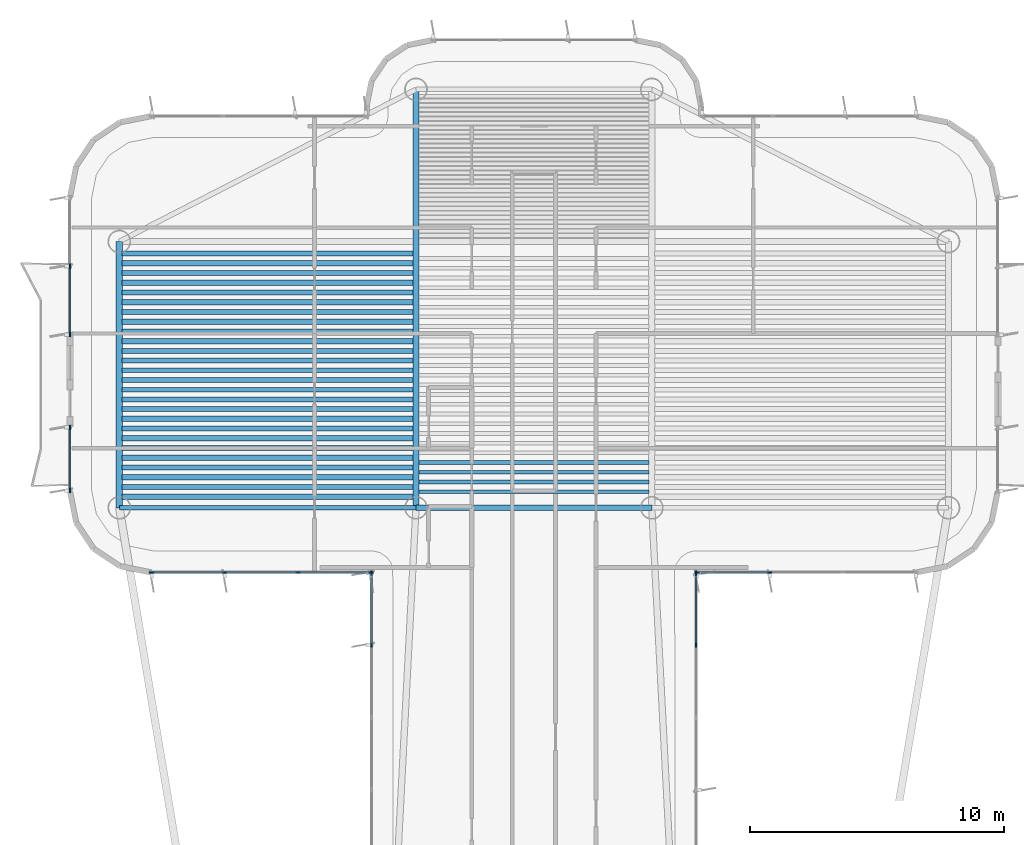
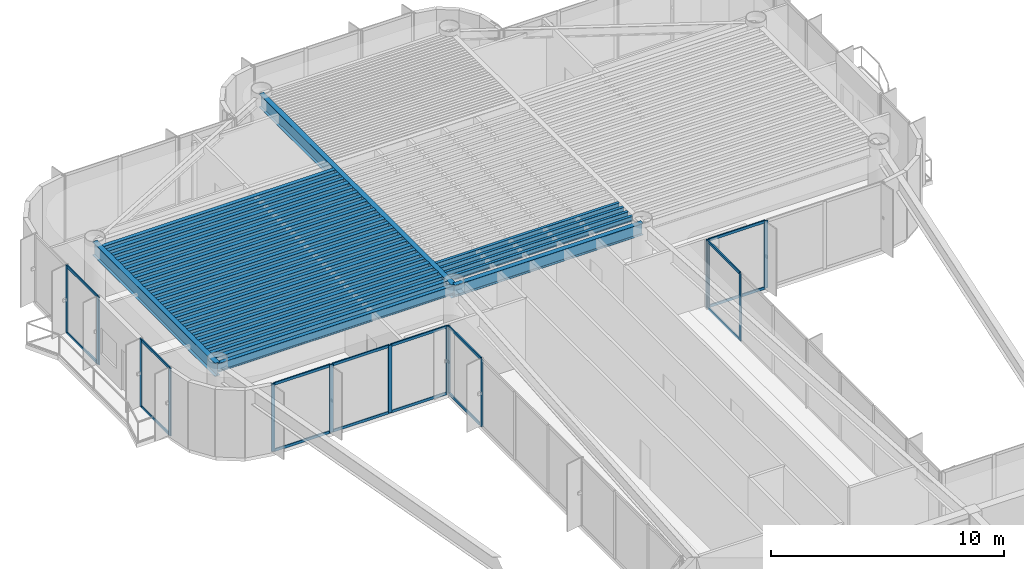
# One storey, part 5 of 15: 34 beams, 30 members, 6 elements without a shape of their own.
"""IFC4 building model written with IfcOpenShell, lengths in metres."""

from ifc_helpers import new_model, si_unit, direction, frame, origin, origin_2d, place, context, subcontext, project, spatial, rectangle, i_section, extrude, source, transform, mapped, material, layer, layer_set, material_profile, profile_set, type_object, element, aggregate, save


model = new_model("IFC4")

# Units and contexts
model_context = context("Model", 3, precision=1e-05, world=origin(), true_north=direction((0.0, 1.0)))
body_context = subcontext(model_context, "Body", "Model", "MODEL_VIEW")
ifc_project = project(units=[si_unit("LENGTHUNIT", "METRE"), si_unit("AREAUNIT", "SQUARE_METRE"), si_unit("VOLUMEUNIT", "CUBIC_METRE"), si_unit("PLANEANGLEUNIT", "RADIAN"), si_unit("MASSUNIT", "GRAM", prefix="KILO")], contexts=[model_context])

# Site, building, storey
site_placement = place(None, origin())
site = spatial("IfcSite", under=ifc_project, at=site_placement, CompositionType="ELEMENT")
building_placement = place(site_placement, origin())
building = spatial("IfcBuilding", under=site, at=building_placement, Name="Brelvock Crest Care Tower", CompositionType="ELEMENT")
storey_placement = place(building_placement, frame((0.0, 0.0, 268.3798828125)))
storey = spatial("IfcBuildingStorey", under=building, at=storey_placement, Name="L68", CompositionType="ELEMENT", Elevation=268.3798828125)

# Beams
ifc_material_1 = material(Name="Steel Grade 350", Category="steel")
ifc_material_profile_1 = material_profile(ifc_material_1, i_section(OverallWidth=0.25, OverallDepth=0.699951171875, WebThickness=0.011962890625, FlangeThickness=0.02001953125, at=origin_2d()), Name="700WB150")
ifc_profile_set_1 = profile_set([ifc_material_profile_1], Name="Steel Grade 350")
beam_type_1 = type_object("IfcBeamType", Name="BM-G4", PredefinedType="BEAM", material=ifc_profile_set_1)
shared_shape_1 = source(origin(), body_context, "Body", "SweptSolid", [
    extrude(i_section(OverallWidth=0.25, OverallDepth=0.699951171875, WebThickness=0.011962890625, FlangeThickness=0.02001953125, at=origin_2d()), origin(), (0.0, 0.0, 1.0), 10.5),
])
beam_1_placement = place(storey_placement, frame((19.64990234375, 43.949951171875, 3.18017578125), z_axis=(0.0, 1.0, 0.0), x_axis=(-1.0, 0.0, 0.0)))
element("IfcBeam", 1, at=beam_1_placement, inside=storey, type_object=beam_type_1, Name="BM-TWR-L68-01", PredefinedType="BEAM", context=body_context, shape_type="MappedRepresentation", body=[
    mapped(shared_shape_1, transform((0.0, 0.0, 0.0), x_axis=(1.0, 0.0, 0.0), y_axis=(0.0, 1.0, 0.0), z_axis=(0.0, 0.0, 1.0), scale=1.0)),
])
ifc_material_profile_2 = material_profile(ifc_material_1, i_section(OverallWidth=0.22900390625, OverallDepth=0.612060546875, WebThickness=0.011962890625, FlangeThickness=0.01953125, FilletRadius=0.013916015625, at=origin_2d()), Name="610UB125")
ifc_profile_set_2 = profile_set([ifc_material_profile_2], Name="Steel Grade 350")
beam_type_2 = type_object("IfcBeamType", Name="BM-G1", PredefinedType="BEAM", material=ifc_profile_set_2)
shared_shape_2 = source(origin(), body_context, "Body", "SweptSolid", [
    extrude(i_section(OverallWidth=0.22900390625, OverallDepth=0.612060546875, WebThickness=0.011962890625, FlangeThickness=0.01953125, FilletRadius=0.013916015625, at=origin_2d()), origin(), (0.0, 0.0, 1.0), 9.2998046875),
])
beam_2_placement = place(storey_placement, frame((31.35009765625, 43.949951171875, 3.22412109375), z_axis=(1.0, 0.0, 0.0), x_axis=(0.0, 1.0, 0.0)))
element("IfcBeam", 2, at=beam_2_placement, inside=storey, type_object=beam_type_2, Name="BM-TWR-L68-05", PredefinedType="BEAM", context=body_context, shape_type="MappedRepresentation", body=[
    mapped(shared_shape_2, transform((0.0, 0.0, 0.0), x_axis=(1.0, 0.0, 0.0), y_axis=(0.0, 1.0, 0.0), z_axis=(0.0, 0.0, 1.0), scale=1.0)),
])
ifc_material_profile_3 = material_profile(ifc_material_1, i_section(OverallWidth=0.14599609375, OverallDepth=0.256103515625, WebThickness=0.00634765625, FlangeThickness=0.010986328125, FilletRadius=0.0087890625, at=origin_2d()), Name="250UB37.3")
ifc_profile_set_3 = profile_set([ifc_material_profile_3], Name="Steel Grade 350")
beam_type_3 = type_object("IfcBeamType", Name="BM-J3", PredefinedType="JOIST", material=ifc_profile_set_3)
shared_shape_3 = source(origin(), body_context, "Body", "SweptSolid", [
    extrude(i_section(OverallWidth=0.14599609375, OverallDepth=0.256103515625, WebThickness=0.00634765625, FlangeThickness=0.010986328125, FilletRadius=0.0087890625, at=origin_2d()), origin(), (0.0, 0.0, 1.0), 9.06982421875),
])
for number, where, z_axis, x_axis, name in (
    (3, (31.465087890625, 44.58251953125, 3.402099609375), (1.0, 0.0, 0.0), (0.0, 1.0, 0.0), "BM-JH-L68-1"),
    (4, (31.465087890625, 44.9658203125, 3.402099609375), (1.0, 0.0, 0.0), (0.0, 1.0, 0.0), "BM-JH-L68-2"),
    (5, (31.465087890625, 45.34912109375, 3.402099609375), (1.0, 0.0, 0.0), (0.0, 1.0, 0.0), "BM-JH-L68-3"),
    (6, (31.465087890625, 45.732421875, 3.402099609375), (1.0, 0.0, 0.0), (0.0, 1.0, 0.0), "BM-JH-L68-4"),
):
    element("IfcBeam", number, at=place(storey_placement, frame(where, z_axis=z_axis, x_axis=x_axis)), inside=storey, type_object=beam_type_3, Name=name, PredefinedType="JOIST", context=body_context, shape_type="MappedRepresentation", body=[
        mapped(shared_shape_3, transform((0.0, 0.0, 0.0), x_axis=(1.0, 0.0, 0.0), y_axis=(0.0, 1.0, 0.0), z_axis=(0.0, 0.0, 1.0), scale=1.0)),
    ])
ifc_material_profile_4 = material_profile(ifc_material_1, i_section(OverallWidth=0.19091796875, OverallDepth=0.4599609375, WebThickness=0.010009765625, FlangeThickness=0.01611328125, FilletRadius=0.011474609375, at=origin_2d()), Name="460UB82.1")
ifc_profile_set_4 = profile_set([ifc_material_profile_4], Name="Steel Grade 350")
beam_type_4 = type_object("IfcBeamType", Name="BM-G3", PredefinedType="BEAM", material=ifc_profile_set_4)
shared_shape_4 = source(origin(), body_context, "Body", "SweptSolid", [
    extrude(i_section(OverallWidth=0.19091796875, OverallDepth=0.4599609375, WebThickness=0.010009765625, FlangeThickness=0.01611328125, FilletRadius=0.011474609375, at=origin_2d()), origin(), (0.0, 0.0, 1.0), 11.47021484375),
])
for number, where, z_axis, x_axis, name in (
    (7, (19.764892578125, 44.7744140625, 3.300048828125), (1.0, 0.0, 0.0), (0.0, 1.0, 0.0), "BM-JW-L68-2"),
    (8, (19.764892578125, 45.540771484375, 3.300048828125), (1.0, 0.0, 0.0), (0.0, 1.0, 0.0), "BM-JW-L68-4"),
    (9, (19.764892578125, 46.307373046875, 3.300048828125), (1.0, 0.0, 0.0), (0.0, 1.0, 0.0), "BM-JW-L68-6"),
    (10, (19.764892578125, 47.07373046875, 3.300048828125), (1.0, 0.0, 0.0), (0.0, 1.0, 0.0), "BM-JW-L68-8"),
    (11, (19.764892578125, 47.84033203125, 3.300048828125), (1.0, 0.0, 0.0), (0.0, 1.0, 0.0), "BM-JW-L68-10"),
    (12, (19.764892578125, 48.606689453125, 3.300048828125), (1.0, 0.0, 0.0), (0.0, 1.0, 0.0), "BM-JW-L68-12"),
    (13, (19.764892578125, 49.373291015625, 3.300048828125), (1.0, 0.0, 0.0), (0.0, 1.0, 0.0), "BM-JW-L68-14"),
    (14, (19.764892578125, 50.139892578125, 3.300048828125), (1.0, 0.0, 0.0), (0.0, 1.0, 0.0), "BM-JW-L68-16"),
    (15, (19.764892578125, 50.90625, 3.300048828125), (1.0, 0.0, 0.0), (0.0, 1.0, 0.0), "BM-JW-L68-18"),
    (16, (19.764892578125, 51.6728515625, 3.300048828125), (1.0, 0.0, 0.0), (0.0, 1.0, 0.0), "BM-JW-L68-20"),
    (17, (19.764892578125, 52.439208984375, 3.300048828125), (1.0, 0.0, 0.0), (0.0, 1.0, 0.0), "BM-JW-L68-22"),
    (18, (19.764892578125, 53.205810546875, 3.300048828125), (1.0, 0.0, 0.0), (0.0, 1.0, 0.0), "BM-JW-L68-24"),
    (19, (19.764892578125, 53.972412109375, 3.300048828125), (1.0, 0.0, 0.0), (0.0, 1.0, 0.0), "BM-JW-L68-26"),
):
    element("IfcBeam", number, at=place(storey_placement, frame(where, z_axis=z_axis, x_axis=x_axis)), inside=storey, type_object=beam_type_4, Name=name, PredefinedType="BEAM", context=body_context, shape_type="MappedRepresentation", body=[
        mapped(shared_shape_4, transform((0.0, 0.0, 0.0), x_axis=(1.0, 0.0, 0.0), y_axis=(0.0, 1.0, 0.0), z_axis=(0.0, 0.0, 1.0), scale=1.0)),
    ])
ifc_material_profile_5 = material_profile(ifc_material_1, i_section(OverallWidth=0.208984375, OverallDepth=0.532958984375, WebThickness=0.01025390625, FlangeThickness=0.015625, FilletRadius=0.013916015625, at=origin_2d()), Name="530UB92.4")
ifc_profile_set_5 = profile_set([ifc_material_profile_5], Name="Steel Grade 350")
beam_type_5 = type_object("IfcBeamType", Name="BM-G2", PredefinedType="BEAM", material=ifc_profile_set_5)
shared_shape_5 = source(origin(), body_context, "Body", "SweptSolid", [
    extrude(i_section(OverallWidth=0.208984375, OverallDepth=0.532958984375, WebThickness=0.01025390625, FlangeThickness=0.015625, FilletRadius=0.013916015625, at=origin_2d()), origin(), (0.0, 0.0, 1.0), 11.47021484375),
])
for number, where, z_axis, x_axis, name in (
    (20, (19.764892578125, 44.39111328125, 3.263671875), (1.0, 0.0, 0.0), (0.0, 1.0, 0.0), "BM-JW-L68-1"),
    (21, (19.764892578125, 45.157470703125, 3.263671875), (1.0, 0.0, 0.0), (0.0, 1.0, 0.0), "BM-JW-L68-3"),
    (22, (19.764892578125, 45.924072265625, 3.263671875), (1.0, 0.0, 0.0), (0.0, 1.0, 0.0), "BM-JW-L68-5"),
    (23, (19.764892578125, 46.6904296875, 3.263671875), (1.0, 0.0, 0.0), (0.0, 1.0, 0.0), "BM-JW-L68-7"),
    (24, (19.764892578125, 47.45703125, 3.263671875), (1.0, 0.0, 0.0), (0.0, 1.0, 0.0), "BM-JW-L68-9"),
    (25, (19.764892578125, 48.223388671875, 3.263671875), (1.0, 0.0, 0.0), (0.0, 1.0, 0.0), "BM-JW-L68-11"),
    (26, (19.764892578125, 48.989990234375, 3.263671875), (1.0, 0.0, 0.0), (0.0, 1.0, 0.0), "BM-JW-L68-13"),
    (27, (19.764892578125, 49.756591796875, 3.263671875), (1.0, 0.0, 0.0), (0.0, 1.0, 0.0), "BM-JW-L68-15"),
    (28, (19.764892578125, 50.52294921875, 3.263671875), (1.0, 0.0, 0.0), (0.0, 1.0, 0.0), "BM-JW-L68-17"),
    (29, (19.764892578125, 51.28955078125, 3.263671875), (1.0, 0.0, 0.0), (0.0, 1.0, 0.0), "BM-JW-L68-19"),
    (30, (19.764892578125, 52.055908203125, 3.263671875), (1.0, 0.0, 0.0), (0.0, 1.0, 0.0), "BM-JW-L68-21"),
    (31, (19.764892578125, 52.822509765625, 3.263671875), (1.0, 0.0, 0.0), (0.0, 1.0, 0.0), "BM-JW-L68-23"),
    (32, (19.764892578125, 53.589111328125, 3.263671875), (1.0, 0.0, 0.0), (0.0, 1.0, 0.0), "BM-JW-L68-25"),
):
    element("IfcBeam", number, at=place(storey_placement, frame(where, z_axis=z_axis, x_axis=x_axis)), inside=storey, type_object=beam_type_5, Name=name, PredefinedType="BEAM", context=body_context, shape_type="MappedRepresentation", body=[
        mapped(shared_shape_5, transform((0.0, 0.0, 0.0), x_axis=(1.0, 0.0, 0.0), y_axis=(0.0, 1.0, 0.0), z_axis=(0.0, 0.0, 1.0), scale=1.0)),
    ])
ifc_material_profile_6 = material_profile(ifc_material_1, i_section(OverallWidth=0.19091796875, OverallDepth=0.4599609375, WebThickness=0.010009765625, FlangeThickness=0.01611328125, FilletRadius=0.011474609375, at=origin_2d()), Name="460UB82.1")
ifc_profile_set_6 = profile_set([ifc_material_profile_6], Name="Steel Grade 350")
beam_type_6 = type_object("IfcBeamType", Name="BM-SP2", PredefinedType="SPANDREL", material=ifc_profile_set_6)
shared_shape_6 = source(origin(), body_context, "Body", "SweptSolid", [
    extrude(i_section(OverallWidth=0.19091796875, OverallDepth=0.4599609375, WebThickness=0.010009765625, FlangeThickness=0.01611328125, FilletRadius=0.011474609375, at=origin_2d()), origin(), (0.0, 0.0, 1.0), 11.7001953125),
])
beam_3_placement = place(storey_placement, frame((19.64990234375, 43.949951171875, 3.300048828125), z_axis=(1.0, 0.0, 0.0), x_axis=(0.0, 1.0, 0.0)))
element("IfcBeam", 33, at=beam_3_placement, inside=storey, type_object=beam_type_6, Name="BM-TWR-L68-03", PredefinedType="SPANDREL", context=body_context, shape_type="MappedRepresentation", body=[
    mapped(shared_shape_6, transform((0.0, 0.0, 0.0), x_axis=(1.0, 0.0, 0.0), y_axis=(0.0, 1.0, 0.0), z_axis=(0.0, 0.0, 1.0), scale=1.0)),
])
shared_shape_7 = source(origin(), body_context, "Body", "SweptSolid", [
    extrude(i_section(OverallWidth=0.25, OverallDepth=0.699951171875, WebThickness=0.011962890625, FlangeThickness=0.02001953125, at=origin_2d()), origin(), (0.0, 0.0, 1.0), 16.5),
])
beam_4_placement = place(storey_placement, frame((31.35009765625, 43.949951171875, 3.18017578125), z_axis=(0.0, 1.0, 0.0), x_axis=(-1.0, 0.0, 0.0)))
element("IfcBeam", 34, at=beam_4_placement, inside=storey, type_object=beam_type_1, Name="BM-TWR-L68-09", PredefinedType="BEAM", context=body_context, shape_type="MappedRepresentation", body=[
    mapped(shared_shape_7, transform((0.0, 0.0, 0.0), x_axis=(1.0, 0.0, 0.0), y_axis=(0.0, 1.0, 0.0), z_axis=(0.0, 0.0, 1.0), scale=1.0)),
])

# Curtain wall, members
ifc_material_2 = material(Name="Dark Glass Double Glazed Low-E", Category="glass")
ifc_layer = layer(ifc_material_2, 0.239990234375, Name="CWS-5")
ifc_layer_set = layer_set([ifc_layer], Name="Dark Glass Double Glazed Low-E")
curtain_wall_type = type_object("IfcCurtainWallType", Name="CWS-5", PredefinedType="NOTDEFINED", material=ifc_layer_set)
curtain_wall_1_placement = place(storey_placement, origin())
curtain_wall_1 = element("IfcCurtainWall", 35, at=curtain_wall_1_placement, inside=storey, type_object=curtain_wall_type, Name="L68 Curtain Wall E11", PredefinedType="NOTDEFINED")
ifc_material_3 = material(Name="Aluminium 6063-T6", Category="aluminium")
ifc_material_profile_7 = material_profile(ifc_material_3, rectangle(XDim=0.06005859375, YDim=0.179931640625, at=origin_2d()), Name="ALU60x180")
ifc_profile_set_7 = profile_set([ifc_material_profile_7], Name="Aluminium 6063-T6")
member_type_1 = type_object("IfcMemberType", Name="CWM-2", PredefinedType="MULLION", material=ifc_profile_set_7)
shared_shape_8 = source(origin(), body_context, "Body", "SweptSolid", [
    extrude(rectangle(XDim=0.06005859375, YDim=0.179931640625, at=origin_2d()), origin(), (0.0, 0.0, 1.0), 3.530029296875),
])
member_1_placement = place(storey_placement, frame((29.60009765625, 38.54296875, 0.0), z_axis=(0.0, 0.0, 1.0), x_axis=(-1.0, 0.0, 0.0)))
member_1 = element("IfcMember", 36, at=member_1_placement, type_object=member_type_1, Name="CW-5 mullion 7", PredefinedType="MULLION", context=body_context, shape_type="MappedRepresentation", body=[
    mapped(shared_shape_8, transform((0.0, 0.0, 0.0), x_axis=(1.0, 0.0, 0.0), y_axis=(0.0, 1.0, 0.0), z_axis=(0.0, 0.0, 1.0), scale=1.0)),
])
member_2_placement = place(storey_placement, frame((29.60009765625, 41.3701171875, 0.0), z_axis=(0.0, 0.0, 1.0), x_axis=(-1.0, 0.0, 0.0)))
member_2 = element("IfcMember", 37, at=member_2_placement, type_object=member_type_1, Name="CW-5 mullion 8", PredefinedType="MULLION", context=body_context, shape_type="MappedRepresentation", body=[
    mapped(shared_shape_8, transform((0.0, 0.0, 0.0), x_axis=(1.0, 0.0, 0.0), y_axis=(0.0, 1.0, 0.0), z_axis=(0.0, 0.0, 1.0), scale=1.0)),
])

curtain_wall_2_placement = place(storey_placement, origin())
curtain_wall_2 = element("IfcCurtainWall", 38, at=curtain_wall_2_placement, inside=storey, type_object=curtain_wall_type, Name="L68 Curtain Wall E12", PredefinedType="NOTDEFINED")
member_3_placement = place(storey_placement, frame((29.570068359375, 41.39990234375, 0.0), z_axis=(0.0, 0.0, 1.0), x_axis=(0.0, -1.0, 0.0)))
member_3 = element("IfcMember", 39, at=member_3_placement, type_object=member_type_1, Name="CW-5 mullion 1", PredefinedType="MULLION", context=body_context, shape_type="MappedRepresentation", body=[
    mapped(shared_shape_8, transform((0.0, 0.0, 0.0), x_axis=(1.0, 0.0, 0.0), y_axis=(0.0, 1.0, 0.0), z_axis=(0.0, 0.0, 1.0), scale=1.0)),
])
member_4_placement = place(storey_placement, frame((26.699951171875, 41.39990234375, 0.0), z_axis=(0.0, 0.0, 1.0), x_axis=(0.0, -1.0, 0.0)))
member_4 = element("IfcMember", 40, at=member_4_placement, type_object=member_type_1, Name="CW-5 mullion 2", PredefinedType="MULLION", context=body_context, shape_type="MappedRepresentation", body=[
    mapped(shared_shape_8, transform((0.0, 0.0, 0.0), x_axis=(1.0, 0.0, 0.0), y_axis=(0.0, 1.0, 0.0), z_axis=(0.0, 0.0, 1.0), scale=1.0)),
])
member_5_placement = place(storey_placement, frame((23.800048828125, 41.39990234375, 0.0), z_axis=(0.0, 0.0, 1.0), x_axis=(0.0, -1.0, 0.0)))
member_5 = element("IfcMember", 41, at=member_5_placement, type_object=member_type_1, Name="CW-5 mullion 3", PredefinedType="MULLION", context=body_context, shape_type="MappedRepresentation", body=[
    mapped(shared_shape_8, transform((0.0, 0.0, 0.0), x_axis=(1.0, 0.0, 0.0), y_axis=(0.0, 1.0, 0.0), z_axis=(0.0, 0.0, 1.0), scale=1.0)),
])
member_6_placement = place(storey_placement, frame((20.929931640625, 41.39990234375, 0.0), z_axis=(0.0, 0.0, 1.0), x_axis=(0.0, -1.0, 0.0)))
member_6 = element("IfcMember", 42, at=member_6_placement, type_object=member_type_1, Name="CW-5 mullion 4", PredefinedType="MULLION", context=body_context, shape_type="MappedRepresentation", body=[
    mapped(shared_shape_8, transform((0.0, 0.0, 0.0), x_axis=(1.0, 0.0, 0.0), y_axis=(0.0, 1.0, 0.0), z_axis=(0.0, 0.0, 1.0), scale=1.0)),
])

curtain_wall_3_placement = place(storey_placement, origin())
curtain_wall_3 = element("IfcCurtainWall", 43, at=curtain_wall_3_placement, inside=storey, type_object=curtain_wall_type, Name="L68 Curtain Wall E17A", PredefinedType="NOTDEFINED")
member_7_placement = place(storey_placement, frame((17.699951171875, 44.6298828125, 0.0), z_axis=(0.0, 0.0, 1.0), x_axis=(-1.0, 0.0, 0.0)))
member_7 = element("IfcMember", 44, at=member_7_placement, type_object=member_type_1, Name="CW-5 mullion 1", PredefinedType="MULLION", context=body_context, shape_type="MappedRepresentation", body=[
    mapped(shared_shape_8, transform((0.0, 0.0, 0.0), x_axis=(1.0, 0.0, 0.0), y_axis=(0.0, 1.0, 0.0), z_axis=(0.0, 0.0, 1.0), scale=1.0)),
])
member_8_placement = place(storey_placement, frame((17.699951171875, 47.1201171875, 0.0), z_axis=(0.0, 0.0, 1.0), x_axis=(-1.0, 0.0, 0.0)))
member_8 = element("IfcMember", 45, at=member_8_placement, type_object=member_type_1, Name="CW-5 mullion 2", PredefinedType="MULLION", context=body_context, shape_type="MappedRepresentation", body=[
    mapped(shared_shape_8, transform((0.0, 0.0, 0.0), x_axis=(1.0, 0.0, 0.0), y_axis=(0.0, 1.0, 0.0), z_axis=(0.0, 0.0, 1.0), scale=1.0)),
])

curtain_wall_4_placement = place(storey_placement, origin())
curtain_wall_4 = element("IfcCurtainWall", 46, at=curtain_wall_4_placement, inside=storey, type_object=curtain_wall_type, Name="L68 Curtain Wall E17B", PredefinedType="NOTDEFINED")
member_9_placement = place(storey_placement, frame((17.699951171875, 50.780029296875, 0.0), z_axis=(0.0, 0.0, 1.0), x_axis=(-1.0, 0.0, 0.0)))
member_9 = element("IfcMember", 47, at=member_9_placement, type_object=member_type_1, Name="CW-5 mullion 1", PredefinedType="MULLION", context=body_context, shape_type="MappedRepresentation", body=[
    mapped(shared_shape_8, transform((0.0, 0.0, 0.0), x_axis=(1.0, 0.0, 0.0), y_axis=(0.0, 1.0, 0.0), z_axis=(0.0, 0.0, 1.0), scale=1.0)),
])
member_10_placement = place(storey_placement, frame((17.699951171875, 53.47509765625, 0.0), z_axis=(0.0, 0.0, 1.0), x_axis=(-1.0, 0.0, 0.0)))
member_10 = element("IfcMember", 48, at=member_10_placement, type_object=member_type_1, Name="CW-5 mullion 2", PredefinedType="MULLION", context=body_context, shape_type="MappedRepresentation", body=[
    mapped(shared_shape_8, transform((0.0, 0.0, 0.0), x_axis=(1.0, 0.0, 0.0), y_axis=(0.0, 1.0, 0.0), z_axis=(0.0, 0.0, 1.0), scale=1.0)),
])

curtain_wall_5_placement = place(storey_placement, origin())
curtain_wall_5 = element("IfcCurtainWall", 49, at=curtain_wall_5_placement, inside=storey, type_object=curtain_wall_type, Name="L68 Curtain Wall E44", PredefinedType="NOTDEFINED")
member_11_placement = place(storey_placement, frame((45.300048828125, 41.39990234375, 0.0), z_axis=(0.0, 0.0, 1.0), x_axis=(0.0, -1.0, 0.0)))
member_11 = element("IfcMember", 50, at=member_11_placement, type_object=member_type_1, Name="CW-5 mullion 3", PredefinedType="MULLION", context=body_context, shape_type="MappedRepresentation", body=[
    mapped(shared_shape_8, transform((0.0, 0.0, 0.0), x_axis=(1.0, 0.0, 0.0), y_axis=(0.0, 1.0, 0.0), z_axis=(0.0, 0.0, 1.0), scale=1.0)),
])
member_12_placement = place(storey_placement, frame((42.429931640625, 41.39990234375, 0.0), z_axis=(0.0, 0.0, 1.0), x_axis=(0.0, -1.0, 0.0)))
member_12 = element("IfcMember", 51, at=member_12_placement, type_object=member_type_1, Name="CW-5 mullion 4", PredefinedType="MULLION", context=body_context, shape_type="MappedRepresentation", body=[
    mapped(shared_shape_8, transform((0.0, 0.0, 0.0), x_axis=(1.0, 0.0, 0.0), y_axis=(0.0, 1.0, 0.0), z_axis=(0.0, 0.0, 1.0), scale=1.0)),
])

curtain_wall_6_placement = place(storey_placement, origin())
curtain_wall_6 = element("IfcCurtainWall", 52, at=curtain_wall_6_placement, inside=storey, type_object=curtain_wall_type, Name="L68 Curtain Wall E45", PredefinedType="NOTDEFINED")
member_13_placement = place(storey_placement, frame((42.39990234375, 41.3701171875, 0.0), z_axis=(0.0, 0.0, 1.0), x_axis=(1.0, 0.0, 0.0)))
member_13 = element("IfcMember", 53, at=member_13_placement, type_object=member_type_1, Name="CW-5 mullion 1", PredefinedType="MULLION", context=body_context, shape_type="MappedRepresentation", body=[
    mapped(shared_shape_8, transform((0.0, 0.0, 0.0), x_axis=(1.0, 0.0, 0.0), y_axis=(0.0, 1.0, 0.0), z_axis=(0.0, 0.0, 1.0), scale=1.0)),
])
member_14_placement = place(storey_placement, frame((42.39990234375, 38.54296875, 0.0), z_axis=(0.0, 0.0, 1.0), x_axis=(1.0, 0.0, 0.0)))
member_14 = element("IfcMember", 54, at=member_14_placement, type_object=member_type_1, Name="CW-5 mullion 2", PredefinedType="MULLION", context=body_context, shape_type="MappedRepresentation", body=[
    mapped(shared_shape_8, transform((0.0, 0.0, 0.0), x_axis=(1.0, 0.0, 0.0), y_axis=(0.0, 1.0, 0.0), z_axis=(0.0, 0.0, 1.0), scale=1.0)),
])

# Member
ifc_material_profile_8 = material_profile(ifc_material_3, rectangle(XDim=0.06005859375, YDim=0.139892578125, at=origin_2d()), Name="ALU60x140")
ifc_profile_set_8 = profile_set([ifc_material_profile_8], Name="Aluminium 6063-T6")
member_type_2 = type_object("IfcMemberType", Name="CWT-2", PredefinedType="USERDEFINED", material=ifc_profile_set_8)
shared_shape_9 = source(origin(), body_context, "Body", "SweptSolid", [
    extrude(rectangle(XDim=0.06005859375, YDim=0.139892578125, at=origin_2d()), origin(), (0.0, 0.0, 1.0), 2.767333984375),
])
member_15_placement = place(storey_placement, frame((29.60009765625, 38.57275390625, 0.030029296875), z_axis=(0.0, 1.0, 0.0), x_axis=(-1.0, 0.0, 0.0)))
member_15 = element("IfcMember", 55, at=member_15_placement, type_object=member_type_2, Name="CW-5 transom 7.1", ObjectType="TRANSOM", PredefinedType="USERDEFINED", context=body_context, shape_type="MappedRepresentation", body=[
    mapped(shared_shape_9, transform((0.0, 0.0, 0.0), x_axis=(1.0, 0.0, 0.0), y_axis=(0.0, 1.0, 0.0), z_axis=(0.0, 0.0, 1.0), scale=1.0)),
])

member_16_placement = place(storey_placement, frame((29.60009765625, 38.57275390625, 3.5), z_axis=(0.0, 1.0, 0.0), x_axis=(-1.0, 0.0, 0.0)))
member_16 = element("IfcMember", 56, at=member_16_placement, type_object=member_type_2, Name="CW-5 transom 7.2", ObjectType="TRANSOM", PredefinedType="USERDEFINED", context=body_context, shape_type="MappedRepresentation", body=[
    mapped(shared_shape_9, transform((0.0, 0.0, 0.0), x_axis=(1.0, 0.0, 0.0), y_axis=(0.0, 1.0, 0.0), z_axis=(0.0, 0.0, 1.0), scale=1.0)),
])

aggregate(curtain_wall_1, [member_1, member_2, member_15, member_16])

member_17_placement = place(storey_placement, frame((42.39990234375, 41.340087890625, 0.030029296875), z_axis=(0.0, -1.0, 0.0), x_axis=(1.0, 0.0, 0.0)))
member_17 = element("IfcMember", 57, at=member_17_placement, type_object=member_type_2, Name="CW-5 transom 1.1", ObjectType="TRANSOM", PredefinedType="USERDEFINED", context=body_context, shape_type="MappedRepresentation", body=[
    mapped(shared_shape_9, transform((0.0, 0.0, 0.0), x_axis=(1.0, 0.0, 0.0), y_axis=(0.0, 1.0, 0.0), z_axis=(0.0, 0.0, 1.0), scale=1.0)),
])

member_18_placement = place(storey_placement, frame((42.39990234375, 41.340087890625, 3.5), z_axis=(0.0, -1.0, 0.0), x_axis=(1.0, 0.0, 0.0)))
member_18 = element("IfcMember", 58, at=member_18_placement, type_object=member_type_2, Name="CW-5 transom 1.2", ObjectType="TRANSOM", PredefinedType="USERDEFINED", context=body_context, shape_type="MappedRepresentation", body=[
    mapped(shared_shape_9, transform((0.0, 0.0, 0.0), x_axis=(1.0, 0.0, 0.0), y_axis=(0.0, 1.0, 0.0), z_axis=(0.0, 0.0, 1.0), scale=1.0)),
])

aggregate(curtain_wall_6, [member_13, member_14, member_17, member_18])

shared_shape_10 = source(origin(), body_context, "Body", "SweptSolid", [
    extrude(rectangle(XDim=0.06005859375, YDim=0.139892578125, at=origin_2d()), origin(), (0.0, 0.0, 1.0), 2.81005859375),
])
member_19_placement = place(storey_placement, frame((29.5400390625, 41.39990234375, 0.030029296875), z_axis=(-1.0, 0.0, 0.0), x_axis=(0.0, -1.0, 0.0)))
member_19 = element("IfcMember", 59, at=member_19_placement, type_object=member_type_2, Name="CW-5 transom 1.1", ObjectType="TRANSOM", PredefinedType="USERDEFINED", context=body_context, shape_type="MappedRepresentation", body=[
    mapped(shared_shape_10, transform((0.0, 0.0, 0.0), x_axis=(1.0, 0.0, 0.0), y_axis=(0.0, 1.0, 0.0), z_axis=(0.0, 0.0, 1.0), scale=1.0)),
])

member_20_placement = place(storey_placement, frame((29.5400390625, 41.39990234375, 3.5), z_axis=(-1.0, 0.0, 0.0), x_axis=(0.0, -1.0, 0.0)))
member_20 = element("IfcMember", 60, at=member_20_placement, type_object=member_type_2, Name="CW-5 transom 1.2", ObjectType="TRANSOM", PredefinedType="USERDEFINED", context=body_context, shape_type="MappedRepresentation", body=[
    mapped(shared_shape_10, transform((0.0, 0.0, 0.0), x_axis=(1.0, 0.0, 0.0), y_axis=(0.0, 1.0, 0.0), z_axis=(0.0, 0.0, 1.0), scale=1.0)),
])

member_21_placement = place(storey_placement, frame((23.77001953125, 41.39990234375, 0.030029296875), z_axis=(-1.0, 0.0, 0.0), x_axis=(0.0, -1.0, 0.0)))
member_21 = element("IfcMember", 61, at=member_21_placement, type_object=member_type_2, Name="CW-5 transom 3.1", ObjectType="TRANSOM", PredefinedType="USERDEFINED", context=body_context, shape_type="MappedRepresentation", body=[
    mapped(shared_shape_10, transform((0.0, 0.0, 0.0), x_axis=(1.0, 0.0, 0.0), y_axis=(0.0, 1.0, 0.0), z_axis=(0.0, 0.0, 1.0), scale=1.0)),
])

member_22_placement = place(storey_placement, frame((23.77001953125, 41.39990234375, 3.5), z_axis=(-1.0, 0.0, 0.0), x_axis=(0.0, -1.0, 0.0)))
member_22 = element("IfcMember", 62, at=member_22_placement, type_object=member_type_2, Name="CW-5 transom 3.2", ObjectType="TRANSOM", PredefinedType="USERDEFINED", context=body_context, shape_type="MappedRepresentation", body=[
    mapped(shared_shape_10, transform((0.0, 0.0, 0.0), x_axis=(1.0, 0.0, 0.0), y_axis=(0.0, 1.0, 0.0), z_axis=(0.0, 0.0, 1.0), scale=1.0)),
])

member_23_placement = place(storey_placement, frame((45.27001953125, 41.39990234375, 0.030029296875), z_axis=(-1.0, 0.0, 0.0), x_axis=(0.0, -1.0, 0.0)))
member_23 = element("IfcMember", 63, at=member_23_placement, type_object=member_type_2, Name="CW-5 transom 3.1", ObjectType="TRANSOM", PredefinedType="USERDEFINED", context=body_context, shape_type="MappedRepresentation", body=[
    mapped(shared_shape_10, transform((0.0, 0.0, 0.0), x_axis=(1.0, 0.0, 0.0), y_axis=(0.0, 1.0, 0.0), z_axis=(0.0, 0.0, 1.0), scale=1.0)),
])

member_24_placement = place(storey_placement, frame((45.27001953125, 41.39990234375, 3.5), z_axis=(-1.0, 0.0, 0.0), x_axis=(0.0, -1.0, 0.0)))
member_24 = element("IfcMember", 64, at=member_24_placement, type_object=member_type_2, Name="CW-5 transom 3.2", ObjectType="TRANSOM", PredefinedType="USERDEFINED", context=body_context, shape_type="MappedRepresentation", body=[
    mapped(shared_shape_10, transform((0.0, 0.0, 0.0), x_axis=(1.0, 0.0, 0.0), y_axis=(0.0, 1.0, 0.0), z_axis=(0.0, 0.0, 1.0), scale=1.0)),
])

aggregate(curtain_wall_5, [member_11, member_12, member_23, member_24])

shared_shape_11 = source(origin(), body_context, "Body", "SweptSolid", [
    extrude(rectangle(XDim=0.06005859375, YDim=0.139892578125, at=origin_2d()), origin(), (0.0, 0.0, 1.0), 2.83984375),
])
member_25_placement = place(storey_placement, frame((26.669921875, 41.39990234375, 0.030029296875), z_axis=(-1.0, 0.0, 0.0), x_axis=(0.0, -1.0, 0.0)))
member_25 = element("IfcMember", 65, at=member_25_placement, type_object=member_type_2, Name="CW-5 transom 2.1", ObjectType="TRANSOM", PredefinedType="USERDEFINED", context=body_context, shape_type="MappedRepresentation", body=[
    mapped(shared_shape_11, transform((0.0, 0.0, 0.0), x_axis=(1.0, 0.0, 0.0), y_axis=(0.0, 1.0, 0.0), z_axis=(0.0, 0.0, 1.0), scale=1.0)),
])

member_26_placement = place(storey_placement, frame((26.669921875, 41.39990234375, 3.5), z_axis=(-1.0, 0.0, 0.0), x_axis=(0.0, -1.0, 0.0)))
member_26 = element("IfcMember", 66, at=member_26_placement, type_object=member_type_2, Name="CW-5 transom 2.2", ObjectType="TRANSOM", PredefinedType="USERDEFINED", context=body_context, shape_type="MappedRepresentation", body=[
    mapped(shared_shape_11, transform((0.0, 0.0, 0.0), x_axis=(1.0, 0.0, 0.0), y_axis=(0.0, 1.0, 0.0), z_axis=(0.0, 0.0, 1.0), scale=1.0)),
])

aggregate(curtain_wall_2, [member_3, member_4, member_5, member_6, member_19, member_20, member_25, member_26, member_21, member_22])

shared_shape_12 = source(origin(), body_context, "Body", "SweptSolid", [
    extrude(rectangle(XDim=0.06005859375, YDim=0.139892578125, at=origin_2d()), origin(), (0.0, 0.0, 1.0), 2.43017578125),
])
member_27_placement = place(storey_placement, frame((17.699951171875, 44.659912109375, 0.030029296875), z_axis=(0.0, 1.0, 0.0), x_axis=(-1.0, 0.0, 0.0)))
member_27 = element("IfcMember", 67, at=member_27_placement, type_object=member_type_2, Name="CW-5 transom 1.1", ObjectType="TRANSOM", PredefinedType="USERDEFINED", context=body_context, shape_type="MappedRepresentation", body=[
    mapped(shared_shape_12, transform((0.0, 0.0, 0.0), x_axis=(1.0, 0.0, 0.0), y_axis=(0.0, 1.0, 0.0), z_axis=(0.0, 0.0, 1.0), scale=1.0)),
])

member_28_placement = place(storey_placement, frame((17.699951171875, 44.659912109375, 3.5), z_axis=(0.0, 1.0, 0.0), x_axis=(-1.0, 0.0, 0.0)))
member_28 = element("IfcMember", 68, at=member_28_placement, type_object=member_type_2, Name="CW-5 transom 1.2", ObjectType="TRANSOM", PredefinedType="USERDEFINED", context=body_context, shape_type="MappedRepresentation", body=[
    mapped(shared_shape_12, transform((0.0, 0.0, 0.0), x_axis=(1.0, 0.0, 0.0), y_axis=(0.0, 1.0, 0.0), z_axis=(0.0, 0.0, 1.0), scale=1.0)),
])

aggregate(curtain_wall_3, [member_7, member_8, member_27, member_28])

shared_shape_13 = source(origin(), body_context, "Body", "SweptSolid", [
    extrude(rectangle(XDim=0.06005859375, YDim=0.139892578125, at=origin_2d()), origin(), (0.0, 0.0, 1.0), 2.635009765625),
])
member_29_placement = place(storey_placement, frame((17.699951171875, 50.81005859375, 0.030029296875), z_axis=(0.0, 1.0, 0.0), x_axis=(-1.0, 0.0, 0.0)))
member_29 = element("IfcMember", 69, at=member_29_placement, type_object=member_type_2, Name="CW-5 transom 1.1", ObjectType="TRANSOM", PredefinedType="USERDEFINED", context=body_context, shape_type="MappedRepresentation", body=[
    mapped(shared_shape_13, transform((0.0, 0.0, 0.0), x_axis=(1.0, 0.0, 0.0), y_axis=(0.0, 1.0, 0.0), z_axis=(0.0, 0.0, 1.0), scale=1.0)),
])

member_30_placement = place(storey_placement, frame((17.699951171875, 50.81005859375, 3.5), z_axis=(0.0, 1.0, 0.0), x_axis=(-1.0, 0.0, 0.0)))
member_30 = element("IfcMember", 70, at=member_30_placement, type_object=member_type_2, Name="CW-5 transom 1.2", ObjectType="TRANSOM", PredefinedType="USERDEFINED", context=body_context, shape_type="MappedRepresentation", body=[
    mapped(shared_shape_13, transform((0.0, 0.0, 0.0), x_axis=(1.0, 0.0, 0.0), y_axis=(0.0, 1.0, 0.0), z_axis=(0.0, 0.0, 1.0), scale=1.0)),
])

aggregate(curtain_wall_4, [member_9, member_10, member_29, member_30])

save(model, "model.ifc")
